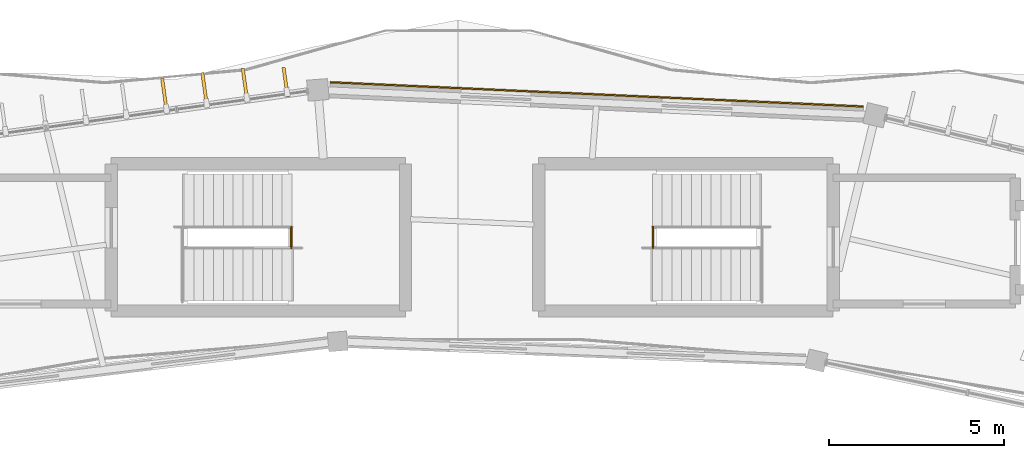
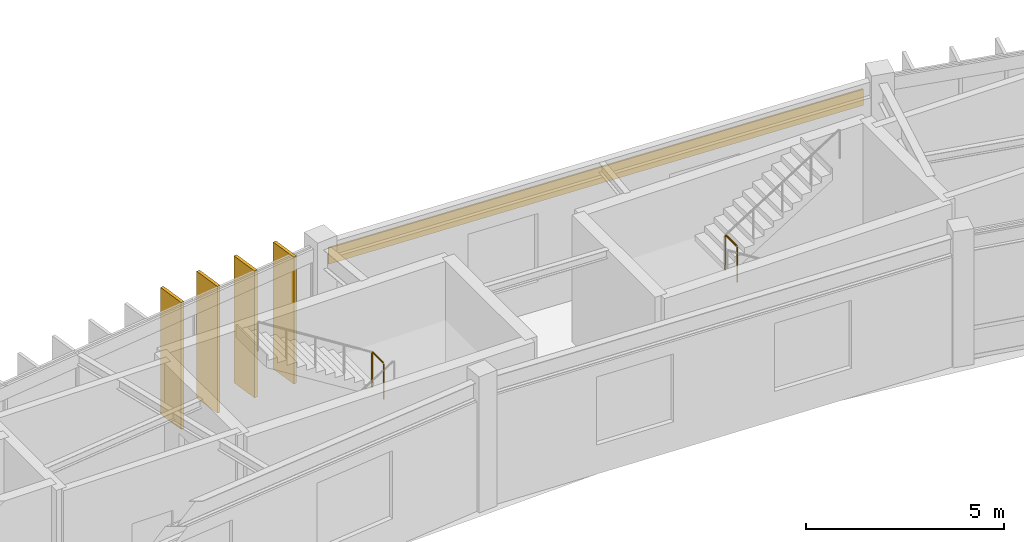
# One storey, part 82 of 83: 4 shading devices, 2 railings, 1 covering.
"""IFC4 building model written with IfcOpenShell, lengths in metres."""

from ifc_helpers import new_model, si_unit, direction, frame, origin, origin_2d, place, context, subcontext, project, spatial, polyline, rectangle, circle, outline, extrude, material, layer, layer_set, type_object, element, save


model = new_model("IFC4")

# Units and contexts
model_context = context("Model", 3, precision=1e-05, world=origin(), true_north=direction((0.0, 1.0)))
body_context = subcontext(model_context, "Body", "Model", "MODEL_VIEW")
ifc_project = project(units=[si_unit("LENGTHUNIT", "METRE"), si_unit("AREAUNIT", "SQUARE_METRE"), si_unit("VOLUMEUNIT", "CUBIC_METRE"), si_unit("PLANEANGLEUNIT", "RADIAN"), si_unit("MASSUNIT", "GRAM", prefix="KILO"), si_unit("THERMODYNAMICTEMPERATUREUNIT", "KELVIN"), si_unit("POWERUNIT", "WATT")], contexts=[model_context])

# Site, building, storey
site_placement = place(None, origin())
site = spatial("IfcSite", under=ifc_project, at=site_placement, CompositionType="ELEMENT")
building_placement = place(site_placement, origin())
building = spatial("IfcBuilding", under=site, at=building_placement, Name="Darbajah Civic Hall", CompositionType="ELEMENT")
storey_placement = place(building_placement, frame((0.0, 0.0, 18.0)))
storey = spatial("IfcBuildingStorey", under=building, at=storey_placement, Name="L04", CompositionType="ELEMENT", Elevation=18.0)

# Railings
ifc_material_1 = material(Name="Brushed Bronze and Laminated Safety Glass", Category="glass")
railing_type = type_object("IfcRailingType", Name="Interior Guard Balustrade", PredefinedType="BALUSTRADE", material=ifc_material_1)
for number, where, name in (
    (1, (84.340087890625, 114.699951171875, 2.10009765625), "ST01 L04 landing well guard"),
    (2, (94.659912109375, 114.699951171875, 2.10009765625), "ST02 L04 landing well guard"),
):
    element("IfcRailing", number, at=place(storey_placement, frame(where)), inside=storey, type_object=railing_type, Name=name, PredefinedType="BALUSTRADE", context=body_context, shape_type="SweptSolid", body=[
        extrude(circle(Radius=0.02392578125, at=origin_2d()), frame((0.0, 0.02734375, 1.09619140625), z_axis=(0.0, 1.0, 0.0), x_axis=(-1.0, 0.0, 0.0)), (0.0, 0.0, 1.0), 0.54541015625),
        extrude(circle(Radius=0.02099609375, at=origin_2d()), origin(), (0.0, 0.0, 1.0), 1.068115234375),
        extrude(circle(Radius=0.02099609375, at=origin_2d()), frame((0.0, 0.60009765625, 0.0)), (0.0, 0.0, 1.0), 1.068115234375),
    ])

# Covering
ifc_material_2 = material(Name="Qatari Desert Limestone Ashlar", Category="masonry")
ifc_layer = layer(ifc_material_2, 0.044921875, Name="Qatari Desert Limestone Ashlar")
ifc_layer_set = layer_set([ifc_layer], Name="Qatari Desert Limestone Ashlar")
covering_type = type_object("IfcCoveringType", Name="Limestone Facade Cladding", PredefinedType="CLADDING", material=ifc_layer_set)
covering_placement = place(storey_placement, frame((0.0, 0.0, 3.02001953125)))
element("IfcCovering", 3, at=covering_placement, inside=storey, type_object=covering_type, Name="L04 stone frieze cladding EW-V1O-L04-04", PredefinedType="CLADDING", context=body_context, shape_type="SweptSolid", body=[
    extrude(outline(polyline([(100.662353515625, 118.710693359375), (85.444580078125, 119.403564453125), (85.44677734375, 119.448486328125), (100.664306640625, 118.755615234375), (100.662353515625, 118.710693359375)])), origin(), (0.0, 0.0, 1.0), 0.5),
])

# Shading devices
ifc_material_3 = material(Name="Bronze Anodised Aluminium and Teak Composite", Category="aluminium")
shading_device_type = type_object("IfcShadingDeviceType", Name="Vertical Bronze Timber Shading Fin", PredefinedType="USERDEFINED", material=ifc_material_3)
for number, where, z_axis, x_axis, name in (
    (4, (84.1787109375, 119.42724609375, 0.0), (0.0, 0.0, 1.0), (-0.137617420457, 0.990485459553, 0.0), "L04 vertical shading fin VF-05-1"),
    (5, (83.01318359375, 119.3974609375, 0.0), (0.0, 0.0, 1.0), (-0.137617420457, 0.990485459553, 0.0), "L04 vertical shading fin VF-05-2"),
    (6, (81.85986328125, 119.279296875, 0.0), (0.0, 0.0, 1.0), (-0.137617420457, 0.990485459553, 0.0), "L04 vertical shading fin VF-05-3"),
    (7, (80.71240234375, 119.119873046875, 0.0), (0.0, 0.0, 1.0), (-0.137617420457, 0.990485459553, 0.0), "L04 vertical shading fin VF-05-4"),
):
    element("IfcShadingDevice", number, at=place(storey_placement, frame(where, z_axis=z_axis, x_axis=x_axis)), inside=storey, type_object=shading_device_type, Name=name, ObjectType="VERTICAL FIN", PredefinedType="USERDEFINED", context=body_context, shape_type="SweptSolid", body=[
        extrude(rectangle(XDim=0.85009765625, YDim=0.090087890625, at=origin_2d()), origin(), (0.0, 0.0, 1.0), 3.919921875),
    ])

save(model, "model.ifc")
